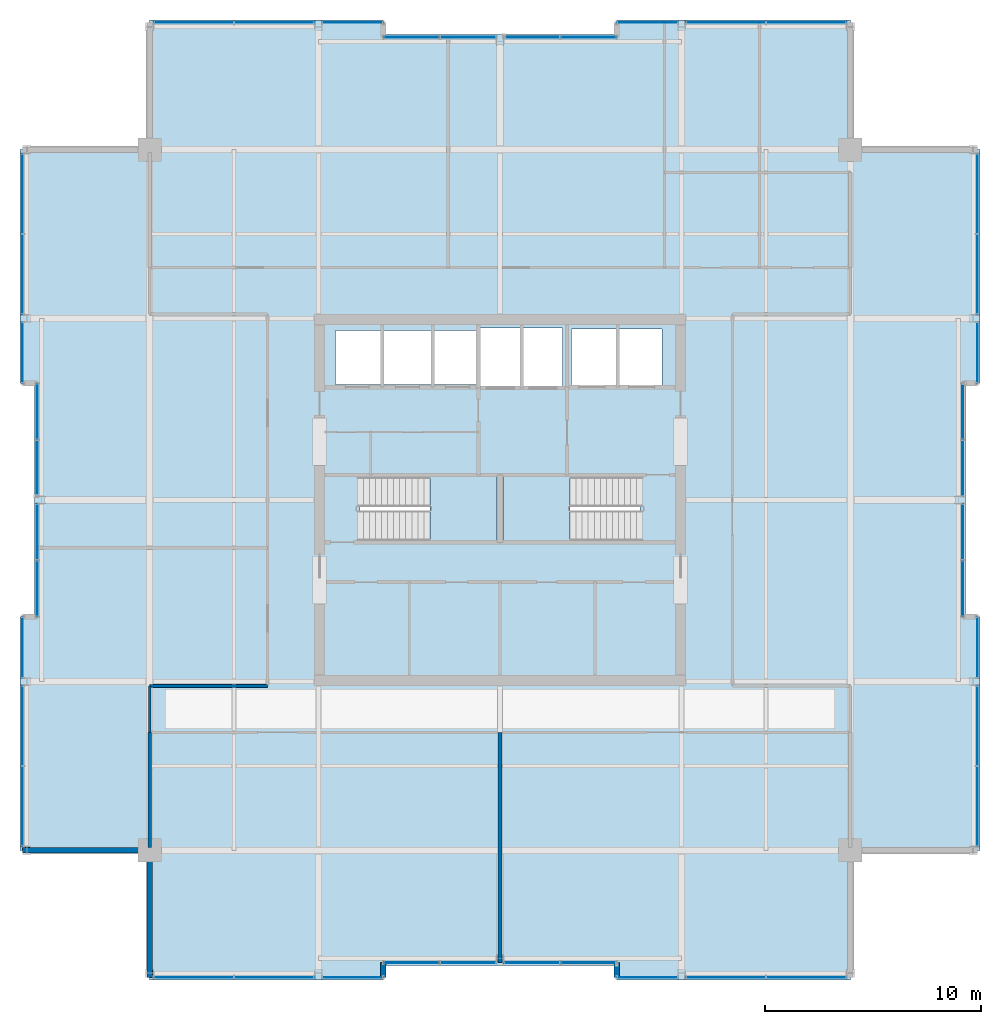
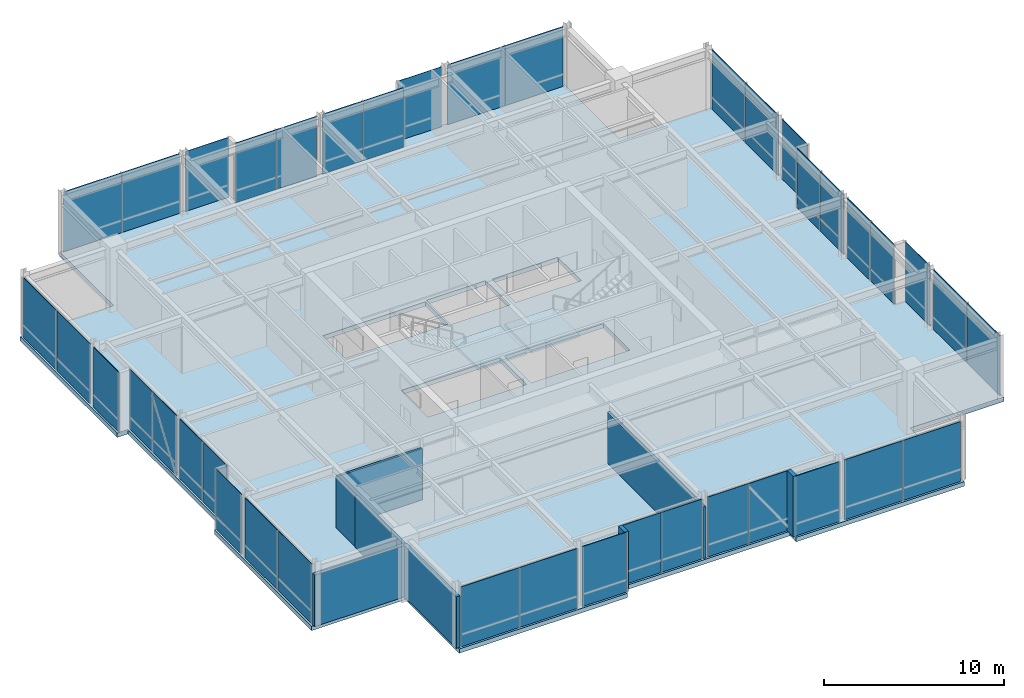
# One storey, part 28 of 34: 40 plates, 8 walls, 3 slabs, 26 elements without a shape of their own.
"""IFC4 building model written with IfcOpenShell, lengths in metres."""

from ifc_helpers import new_model, si_unit, direction, frame, frame_2d, origin, origin_2d, place, context, subcontext, project, spatial, polyline, rectangle, outline, extrude, material, layer, layer_set, type_object, element, aggregate, save


model = new_model("IFC4")

# Units and contexts
model_context = context("Model", 3, precision=1e-05, world=origin(), true_north=direction((0.0, 1.0)))
body_context = subcontext(model_context, "Body", "Model", "MODEL_VIEW")
ifc_project = project(units=[si_unit("LENGTHUNIT", "METRE"), si_unit("AREAUNIT", "SQUARE_METRE"), si_unit("VOLUMEUNIT", "CUBIC_METRE"), si_unit("PLANEANGLEUNIT", "RADIAN"), si_unit("MASSUNIT", "GRAM", prefix="KILO")], contexts=[model_context])

# Site, building, storey
site_placement = place(None, origin())
site = spatial("IfcSite", under=ifc_project, at=site_placement, CompositionType="ELEMENT")
building_placement = place(site_placement, origin())
building = spatial("IfcBuilding", under=site, at=building_placement, Name="Drelvath Grand Hotel", CompositionType="ELEMENT")
storey_placement = place(building_placement, frame((0.0, 0.0, 294.199951171875)))
storey = spatial("IfcBuildingStorey", under=building, at=storey_placement, Name="L77", CompositionType="ELEMENT", Elevation=294.199951171875)

# Slab
ifc_material_1 = material(Name="Concrete f'c 40 MPa", Category="concrete")
ifc_layer_1 = layer(ifc_material_1, 0.300048828125)
ifc_layer_set_1 = layer_set([ifc_layer_1], Name="Concrete f'c 40 MPa")
slab_type_1 = type_object("IfcSlabType", Name="Composite RC Floor Slab 300", PredefinedType="FLOOR", material=ifc_layer_set_1)
slab_1_placement = place(storey_placement, frame((0.0, 0.0, -0.300048828125)))
element("IfcSlab", 1, at=slab_1_placement, inside=storey, type_object=slab_type_1, Name="L77 Structural Floor Slab", PredefinedType="FLOOR", context=body_context, shape_type="SweptSolid", body=[
    extrude(outline(polyline([(-16.199951171875, 4.800048828125), (-5.39990234375, 4.800048828125), (-5.39990234375, 5.47998046875), (5.39990234375, 5.47998046875), (5.39990234375, 4.800048828125), (16.199951171875, 4.800048828125), (16.199951171875, 10.800048828125), (22.199951171875, 10.800048828125), (22.199951171875, 21.60009765625), (21.52001953125, 21.60009765625), (21.52001953125, 32.39990234375), (22.199951171875, 32.39990234375), (22.199951171875, 43.199951171875), (16.199951171875, 43.199951171875), (16.199951171875, 49.199951171875), (5.39990234375, 49.199951171875), (5.39990234375, 48.52001953125), (-5.39990234375, 48.52001953125), (-5.39990234375, 49.199951171875), (-16.199951171875, 49.199951171875), (-16.199951171875, 43.199951171875), (-22.199951171875, 43.199951171875), (-22.199951171875, 32.39990234375), (-21.52001953125, 32.39990234375), (-21.52001953125, 21.60009765625), (-22.199951171875, 21.60009765625), (-22.199951171875, 10.800048828125), (-16.199951171875, 10.800048828125), (-16.199951171875, 4.800048828125)]), holes=[polyline([(-6.47998046875, 25.1201171875), (-6.47998046875, 28.080078125), (-0.14990234375, 28.080078125), (-0.14990234375, 25.1201171875), (-6.47998046875, 25.1201171875)]), polyline([(0.14990234375, 25.1201171875), (0.14990234375, 28.080078125), (6.47998046875, 28.080078125), (6.47998046875, 25.1201171875), (0.14990234375, 25.1201171875)]), polyline([(-7.60009765625, 32.35009765625), (-7.60009765625, 34.85009765625), (-1.02001953125, 34.85009765625), (-1.02001953125, 32.35009765625), (-7.60009765625, 32.35009765625)]), polyline([(-0.89990234375, 32.25), (-0.89990234375, 34.949951171875), (2.89990234375, 34.949951171875), (2.89990234375, 32.25), (-0.89990234375, 32.25)]), polyline([(3.300048828125, 32.300048828125), (3.300048828125, 34.89990234375), (7.5, 34.89990234375), (7.5, 32.300048828125), (3.300048828125, 32.300048828125)])]), origin(), (0.0, 0.0, 1.0), 0.300048828125),
])

# Stair, slab
ifc_material_2 = material(Name="Concrete C40/50", Category="concrete")
stair_type = type_object("IfcStairType", Name="Dogleg Exit Stair W1400-R169.2", PredefinedType="HALF_TURN_STAIR", material=ifc_material_2)
stair_1_placement = place(storey_placement, origin())
stair_1 = element("IfcStair", 2, at=stair_1_placement, inside=storey, type_object=stair_type, Name="L77 Core Exit Stair ST-1", PredefinedType="HALF_TURN_STAIR")
ifc_layer_2 = layer(ifc_material_2, 0.199951171875)
ifc_layer_set_2 = layer_set([ifc_layer_2], Name="Concrete C40/50")
slab_type_2 = type_object("IfcSlabType", Name="Concrete Stair Landing Slab 200", PredefinedType="LANDING", material=ifc_layer_set_2)
slab_2_placement = place(storey_placement, frame((0.0, 0.0, 2.0)))
slab_2 = element("IfcSlab", 3, at=slab_2_placement, type_object=slab_type_2, Name="ST-1 landing 1", PredefinedType="LANDING", context=body_context, shape_type="SweptSolid", body=[
    extrude(outline(polyline([(-3.239990234375, 25.1201171875), (-0.14990234375, 25.1201171875), (-0.14990234375, 28.080078125), (-3.239990234375, 28.080078125), (-3.239990234375, 25.1201171875)])), origin(), (0.0, 0.0, 1.0), 0.199951171875),
])
aggregate(stair_1, [slab_2])

stair_2_placement = place(storey_placement, origin())
stair_2 = element("IfcStair", 4, at=stair_2_placement, inside=storey, type_object=stair_type, Name="L77 Core Exit Stair ST-2", PredefinedType="HALF_TURN_STAIR")
slab_3_placement = place(storey_placement, frame((0.0, 0.0, 2.0)))
slab_3 = element("IfcSlab", 5, at=slab_3_placement, type_object=slab_type_2, Name="ST-2 landing 1", PredefinedType="LANDING", context=body_context, shape_type="SweptSolid", body=[
    extrude(outline(polyline([(3.239990234375, 28.080078125), (0.14990234375, 28.080078125), (0.14990234375, 25.1201171875), (3.239990234375, 25.1201171875), (3.239990234375, 28.080078125)])), origin(), (0.0, 0.0, 1.0), 0.199951171875),
])
aggregate(stair_2, [slab_3])

# Curtain wall, plates
ifc_material_3 = material(Name="Platinum-Mist Anodised Aluminium Frame", Category="aluminium")
ifc_layer_3 = layer(ifc_material_3, 0.199951171875)
ifc_layer_set_3 = layer_set([ifc_layer_3], Name="Platinum-Mist Anodised Aluminium Frame")
curtain_wall_type = type_object("IfcCurtainWallType", Name="Stick Curtain Wall CW-05 Platinum Mist High-Rise", PredefinedType="NOTDEFINED", material=ifc_layer_set_3)
curtain_wall_1_placement = place(storey_placement, origin())
curtain_wall_1 = element("IfcCurtainWall", 6, at=curtain_wall_1_placement, inside=storey, type_object=curtain_wall_type, Name="L77 CW-05 Curtain Wall CW05-L77-WS1", PredefinedType="NOTDEFINED")
ifc_material_4 = material(Name="Low-E Triple Silver High-Altitude Glass", Category="glass")
ifc_layer_4 = layer(ifc_material_4, 0.035888671875)
ifc_layer_set_4 = layer_set([ifc_layer_4], Name="Low-E Triple Silver High-Altitude Glass")
plate_type = type_object("IfcPlateType", Name="Curtain Wall Vision Panel CW-05 36mm", PredefinedType="CURTAIN_PANEL", material=ifc_layer_set_4)
plate_1_placement = place(storey_placement, frame((-22.080078125, 12.835205078125, 0.02001953125), z_axis=(0.0, 0.0, 1.0), x_axis=(0.0, 1.0, 0.0)))
plate_1 = element("IfcPlate", 7, at=plate_1_placement, type_object=plate_type, Name="CW05-L77-WS1 Glazed Panel 1", PredefinedType="CURTAIN_PANEL", context=body_context, shape_type="SweptSolid", body=[
    extrude(rectangle(XDim=3.68994140625, YDim=0.035888671875, at=origin_2d()), origin(), (0.0, 0.0, 1.0), 4.06005859375),
])
plate_2_placement = place(storey_placement, frame((-22.080078125, 16.56494140625, 0.02001953125), z_axis=(0.0, 0.0, 1.0), x_axis=(0.0, 1.0, 0.0)))
plate_2 = element("IfcPlate", 8, at=plate_2_placement, type_object=plate_type, Name="CW05-L77-WS1 Glazed Panel 2", PredefinedType="CURTAIN_PANEL", context=body_context, shape_type="SweptSolid", body=[
    extrude(rectangle(XDim=3.68994140625, YDim=0.035888671875, at=origin_2d()), origin(), (0.0, 0.0, 1.0), 4.06005859375),
])
aggregate(curtain_wall_1, [plate_1, plate_2])

# Curtain wall, plate
curtain_wall_2_placement = place(storey_placement, origin())
curtain_wall_2 = element("IfcCurtainWall", 9, at=curtain_wall_2_placement, inside=storey, type_object=curtain_wall_type, Name="L77 CW-05 Curtain Wall CW05-L77-WS2", PredefinedType="NOTDEFINED")
plate_3_placement = place(storey_placement, frame((-22.080078125, 20.18505859375, 0.02001953125), z_axis=(0.0, 0.0, 1.0), x_axis=(0.0, 1.0, 0.0)))
plate_3 = element("IfcPlate", 10, at=plate_3_placement, type_object=plate_type, Name="CW05-L77-WS2 Glazed Panel 1", PredefinedType="CURTAIN_PANEL", context=body_context, shape_type="SweptSolid", body=[
    extrude(rectangle(XDim=2.789794921875, YDim=0.035888671875, at=origin_2d()), origin(), (0.0, 0.0, 1.0), 4.06005859375),
])
aggregate(curtain_wall_2, [plate_3])

# Curtain wall, plates
curtain_wall_3_placement = place(storey_placement, origin())
curtain_wall_3 = element("IfcCurtainWall", 11, at=curtain_wall_3_placement, inside=storey, type_object=curtain_wall_type, Name="L77 CW-05 Curtain Wall CW05-L77-WM1", PredefinedType="NOTDEFINED")
plate_4_placement = place(storey_placement, frame((-21.39990234375, 22.907470703125, 0.02001953125), z_axis=(0.0, 0.0, 1.0), x_axis=(0.0, 1.0, 0.0)))
plate_4 = element("IfcPlate", 12, at=plate_4_placement, type_object=plate_type, Name="CW05-L77-WM1 Glazed Panel 1", PredefinedType="CURTAIN_PANEL", context=body_context, shape_type="SweptSolid", body=[
    extrude(rectangle(XDim=2.574951171875, YDim=0.035888671875, at=origin_2d()), origin(), (0.0, 0.0, 1.0), 4.06005859375),
])
plate_5_placement = place(storey_placement, frame((-21.39990234375, 25.5224609375, 0.02001953125), z_axis=(0.0, 0.0, 1.0), x_axis=(0.0, 1.0, 0.0)))
plate_5 = element("IfcPlate", 13, at=plate_5_placement, type_object=plate_type, Name="CW05-L77-WM1 Glazed Panel 2", PredefinedType="CURTAIN_PANEL", context=body_context, shape_type="SweptSolid", body=[
    extrude(rectangle(XDim=2.574951171875, YDim=0.035888671875, at=origin_2d()), origin(), (0.0, 0.0, 1.0), 4.06005859375),
])
aggregate(curtain_wall_3, [plate_4, plate_5])

curtain_wall_4_placement = place(storey_placement, origin())
curtain_wall_4 = element("IfcCurtainWall", 14, at=curtain_wall_4_placement, inside=storey, type_object=curtain_wall_type, Name="L77 CW-05 Curtain Wall CW05-L77-WM2", PredefinedType="NOTDEFINED")
plate_6_placement = place(storey_placement, frame((-21.39990234375, 28.4775390625, 0.02001953125), z_axis=(0.0, 0.0, 1.0), x_axis=(0.0, 1.0, 0.0)))
plate_6 = element("IfcPlate", 15, at=plate_6_placement, type_object=plate_type, Name="CW05-L77-WM2 Glazed Panel 1", PredefinedType="CURTAIN_PANEL", context=body_context, shape_type="SweptSolid", body=[
    extrude(rectangle(XDim=2.574951171875, YDim=0.035888671875, at=origin_2d()), origin(), (0.0, 0.0, 1.0), 4.06005859375),
])
plate_7_placement = place(storey_placement, frame((-21.39990234375, 31.092529296875, 0.02001953125), z_axis=(0.0, 0.0, 1.0), x_axis=(0.0, 1.0, 0.0)))
plate_7 = element("IfcPlate", 16, at=plate_7_placement, type_object=plate_type, Name="CW05-L77-WM2 Glazed Panel 2", PredefinedType="CURTAIN_PANEL", context=body_context, shape_type="SweptSolid", body=[
    extrude(rectangle(XDim=2.574951171875, YDim=0.035888671875, at=origin_2d()), origin(), (0.0, 0.0, 1.0), 4.06005859375),
])
aggregate(curtain_wall_4, [plate_6, plate_7])

# Curtain wall, plate
curtain_wall_5_placement = place(storey_placement, origin())
curtain_wall_5 = element("IfcCurtainWall", 17, at=curtain_wall_5_placement, inside=storey, type_object=curtain_wall_type, Name="L77 CW-05 Curtain Wall CW05-L77-WN1", PredefinedType="NOTDEFINED")
plate_8_placement = place(storey_placement, frame((-22.080078125, 33.81494140625, 0.02001953125), z_axis=(0.0, 0.0, 1.0), x_axis=(0.0, 1.0, 0.0)))
plate_8 = element("IfcPlate", 18, at=plate_8_placement, type_object=plate_type, Name="CW05-L77-WN1 Glazed Panel 1", PredefinedType="CURTAIN_PANEL", context=body_context, shape_type="SweptSolid", body=[
    extrude(rectangle(XDim=2.7900390625, YDim=0.035888671875, at=origin_2d()), origin(), (0.0, 0.0, 1.0), 4.06005859375),
])
aggregate(curtain_wall_5, [plate_8])

# Curtain wall, plates
curtain_wall_6_placement = place(storey_placement, origin())
curtain_wall_6 = element("IfcCurtainWall", 19, at=curtain_wall_6_placement, inside=storey, type_object=curtain_wall_type, Name="L77 CW-05 Curtain Wall CW05-L77-WN2", PredefinedType="NOTDEFINED")
plate_9_placement = place(storey_placement, frame((-22.080078125, 37.43505859375, 0.02001953125), z_axis=(0.0, 0.0, 1.0), x_axis=(0.0, 1.0, 0.0)))
plate_9 = element("IfcPlate", 20, at=plate_9_placement, type_object=plate_type, Name="CW05-L77-WN2 Glazed Panel 1", PredefinedType="CURTAIN_PANEL", context=body_context, shape_type="SweptSolid", body=[
    extrude(rectangle(XDim=3.68994140625, YDim=0.035888671875, at=origin_2d()), origin(), (0.0, 0.0, 1.0), 4.06005859375),
])
plate_10_placement = place(storey_placement, frame((-22.080078125, 41.1650390625, 0.02001953125), z_axis=(0.0, 0.0, 1.0), x_axis=(0.0, 1.0, 0.0)))
plate_10 = element("IfcPlate", 21, at=plate_10_placement, type_object=plate_type, Name="CW05-L77-WN2 Glazed Panel 2", PredefinedType="CURTAIN_PANEL", context=body_context, shape_type="SweptSolid", body=[
    extrude(rectangle(XDim=3.68994140625, YDim=0.035888671875, at=origin_2d()), origin(), (0.0, 0.0, 1.0), 4.06005859375),
])
aggregate(curtain_wall_6, [plate_9, plate_10])

# Curtain wall, plate
curtain_wall_7_placement = place(storey_placement, origin())
curtain_wall_7 = element("IfcCurtainWall", 22, at=curtain_wall_7_placement, inside=storey, type_object=curtain_wall_type, Name="L77 CW-05 Curtain Wall CW05-L77-EN1", PredefinedType="NOTDEFINED")
plate_11_placement = place(storey_placement, frame((22.080078125, 33.81494140625, 0.02001953125), z_axis=(0.0, 0.0, 1.0), x_axis=(0.0, -1.0, 0.0)))
plate_11 = element("IfcPlate", 23, at=plate_11_placement, type_object=plate_type, Name="CW05-L77-EN1 Glazed Panel 1", PredefinedType="CURTAIN_PANEL", context=body_context, shape_type="SweptSolid", body=[
    extrude(rectangle(XDim=2.7900390625, YDim=0.035888671875, at=origin_2d()), origin(), (0.0, 0.0, 1.0), 4.06005859375),
])
aggregate(curtain_wall_7, [plate_11])

# Curtain wall, plates
curtain_wall_8_placement = place(storey_placement, origin())
curtain_wall_8 = element("IfcCurtainWall", 24, at=curtain_wall_8_placement, inside=storey, type_object=curtain_wall_type, Name="L77 CW-05 Curtain Wall CW05-L77-EN2", PredefinedType="NOTDEFINED")
plate_12_placement = place(storey_placement, frame((22.080078125, 41.1650390625, 0.02001953125), z_axis=(0.0, 0.0, 1.0), x_axis=(0.0, -1.0, 0.0)))
plate_12 = element("IfcPlate", 25, at=plate_12_placement, type_object=plate_type, Name="CW05-L77-EN2 Glazed Panel 1", PredefinedType="CURTAIN_PANEL", context=body_context, shape_type="SweptSolid", body=[
    extrude(rectangle(XDim=3.68994140625, YDim=0.035888671875, at=origin_2d()), origin(), (0.0, 0.0, 1.0), 4.06005859375),
])
plate_13_placement = place(storey_placement, frame((22.080078125, 37.43505859375, 0.02001953125), z_axis=(0.0, 0.0, 1.0), x_axis=(0.0, -1.0, 0.0)))
plate_13 = element("IfcPlate", 26, at=plate_13_placement, type_object=plate_type, Name="CW05-L77-EN2 Glazed Panel 2", PredefinedType="CURTAIN_PANEL", context=body_context, shape_type="SweptSolid", body=[
    extrude(rectangle(XDim=3.68994140625, YDim=0.035888671875, at=origin_2d()), origin(), (0.0, 0.0, 1.0), 4.06005859375),
])
aggregate(curtain_wall_8, [plate_12, plate_13])

curtain_wall_9_placement = place(storey_placement, origin())
curtain_wall_9 = element("IfcCurtainWall", 27, at=curtain_wall_9_placement, inside=storey, type_object=curtain_wall_type, Name="L77 CW-05 Curtain Wall CW05-L77-EM1", PredefinedType="NOTDEFINED")
plate_14_placement = place(storey_placement, frame((21.39990234375, 25.5224609375, 0.02001953125), z_axis=(0.0, 0.0, 1.0), x_axis=(0.0, -1.0, 0.0)))
plate_14 = element("IfcPlate", 28, at=plate_14_placement, type_object=plate_type, Name="CW05-L77-EM1 Glazed Panel 1", PredefinedType="CURTAIN_PANEL", context=body_context, shape_type="SweptSolid", body=[
    extrude(rectangle(XDim=2.574951171875, YDim=0.035888671875, at=origin_2d()), origin(), (0.0, 0.0, 1.0), 4.06005859375),
])
plate_15_placement = place(storey_placement, frame((21.39990234375, 22.907470703125, 0.02001953125), z_axis=(0.0, 0.0, 1.0), x_axis=(0.0, -1.0, 0.0)))
plate_15 = element("IfcPlate", 29, at=plate_15_placement, type_object=plate_type, Name="CW05-L77-EM1 Glazed Panel 2", PredefinedType="CURTAIN_PANEL", context=body_context, shape_type="SweptSolid", body=[
    extrude(rectangle(XDim=2.574951171875, YDim=0.035888671875, at=origin_2d()), origin(), (0.0, 0.0, 1.0), 4.06005859375),
])
aggregate(curtain_wall_9, [plate_14, plate_15])

curtain_wall_10_placement = place(storey_placement, origin())
curtain_wall_10 = element("IfcCurtainWall", 30, at=curtain_wall_10_placement, inside=storey, type_object=curtain_wall_type, Name="L77 CW-05 Curtain Wall CW05-L77-EM2", PredefinedType="NOTDEFINED")
plate_16_placement = place(storey_placement, frame((21.39990234375, 31.092529296875, 0.02001953125), z_axis=(0.0, 0.0, 1.0), x_axis=(0.0, -1.0, 0.0)))
plate_16 = element("IfcPlate", 31, at=plate_16_placement, type_object=plate_type, Name="CW05-L77-EM2 Glazed Panel 1", PredefinedType="CURTAIN_PANEL", context=body_context, shape_type="SweptSolid", body=[
    extrude(rectangle(XDim=2.574951171875, YDim=0.035888671875, at=origin_2d()), origin(), (0.0, 0.0, 1.0), 4.06005859375),
])
plate_17_placement = place(storey_placement, frame((21.39990234375, 28.4775390625, 0.02001953125), z_axis=(0.0, 0.0, 1.0), x_axis=(0.0, -1.0, 0.0)))
plate_17 = element("IfcPlate", 32, at=plate_17_placement, type_object=plate_type, Name="CW05-L77-EM2 Glazed Panel 2", PredefinedType="CURTAIN_PANEL", context=body_context, shape_type="SweptSolid", body=[
    extrude(rectangle(XDim=2.574951171875, YDim=0.035888671875, at=origin_2d()), origin(), (0.0, 0.0, 1.0), 4.06005859375),
])
aggregate(curtain_wall_10, [plate_16, plate_17])

curtain_wall_11_placement = place(storey_placement, origin())
curtain_wall_11 = element("IfcCurtainWall", 33, at=curtain_wall_11_placement, inside=storey, type_object=curtain_wall_type, Name="L77 CW-05 Curtain Wall CW05-L77-ES1", PredefinedType="NOTDEFINED")
plate_18_placement = place(storey_placement, frame((22.080078125, 16.56494140625, 0.02001953125), z_axis=(0.0, 0.0, 1.0), x_axis=(0.0, -1.0, 0.0)))
plate_18 = element("IfcPlate", 34, at=plate_18_placement, type_object=plate_type, Name="CW05-L77-ES1 Glazed Panel 1", PredefinedType="CURTAIN_PANEL", context=body_context, shape_type="SweptSolid", body=[
    extrude(rectangle(XDim=3.68994140625, YDim=0.035888671875, at=origin_2d()), origin(), (0.0, 0.0, 1.0), 4.06005859375),
])
plate_19_placement = place(storey_placement, frame((22.080078125, 12.835205078125, 0.02001953125), z_axis=(0.0, 0.0, 1.0), x_axis=(0.0, -1.0, 0.0)))
plate_19 = element("IfcPlate", 35, at=plate_19_placement, type_object=plate_type, Name="CW05-L77-ES1 Glazed Panel 2", PredefinedType="CURTAIN_PANEL", context=body_context, shape_type="SweptSolid", body=[
    extrude(rectangle(XDim=3.68994140625, YDim=0.035888671875, at=origin_2d()), origin(), (0.0, 0.0, 1.0), 4.06005859375),
])
aggregate(curtain_wall_11, [plate_18, plate_19])

# Curtain wall, plate
curtain_wall_12_placement = place(storey_placement, origin())
curtain_wall_12 = element("IfcCurtainWall", 36, at=curtain_wall_12_placement, inside=storey, type_object=curtain_wall_type, Name="L77 CW-05 Curtain Wall CW05-L77-ES2", PredefinedType="NOTDEFINED")
plate_20_placement = place(storey_placement, frame((22.080078125, 20.18505859375, 0.02001953125), z_axis=(0.0, 0.0, 1.0), x_axis=(0.0, -1.0, 0.0)))
plate_20 = element("IfcPlate", 37, at=plate_20_placement, type_object=plate_type, Name="CW05-L77-ES2 Glazed Panel 1", PredefinedType="CURTAIN_PANEL", context=body_context, shape_type="SweptSolid", body=[
    extrude(rectangle(XDim=2.789794921875, YDim=0.035888671875, at=origin_2d()), origin(), (0.0, 0.0, 1.0), 4.06005859375),
])
aggregate(curtain_wall_12, [plate_20])

# Curtain wall, plates
curtain_wall_13_placement = place(storey_placement, origin())
curtain_wall_13 = element("IfcCurtainWall", 38, at=curtain_wall_13_placement, inside=storey, type_object=curtain_wall_type, Name="L77 CW-05 Curtain Wall CW05-L77-NW1", PredefinedType="NOTDEFINED")
plate_21_placement = place(storey_placement, frame((-14.1650390625, 49.080078125, 0.02001953125), z_axis=(0.0, 0.0, 1.0), x_axis=(1.0, 0.0, 0.0)))
plate_21 = element("IfcPlate", 39, at=plate_21_placement, type_object=plate_type, Name="CW05-L77-NW1 Glazed Panel 1", PredefinedType="CURTAIN_PANEL", context=body_context, shape_type="SweptSolid", body=[
    extrude(rectangle(XDim=3.68994140625, YDim=0.035888671875, at=origin_2d()), origin(), (0.0, 0.0, 1.0), 4.06005859375),
])
plate_22_placement = place(storey_placement, frame((-10.43505859375, 49.080078125, 0.02001953125), z_axis=(0.0, 0.0, 1.0), x_axis=(1.0, 0.0, 0.0)))
plate_22 = element("IfcPlate", 40, at=plate_22_placement, type_object=plate_type, Name="CW05-L77-NW1 Glazed Panel 2", PredefinedType="CURTAIN_PANEL", context=body_context, shape_type="SweptSolid", body=[
    extrude(rectangle(XDim=3.68994140625, YDim=0.035888671875, at=origin_2d()), origin(), (0.0, 0.0, 1.0), 4.06005859375),
])
aggregate(curtain_wall_13, [plate_21, plate_22])

# Curtain wall, plate
curtain_wall_14_placement = place(storey_placement, origin())
curtain_wall_14 = element("IfcCurtainWall", 41, at=curtain_wall_14_placement, inside=storey, type_object=curtain_wall_type, Name="L77 CW-05 Curtain Wall CW05-L77-NW2", PredefinedType="NOTDEFINED")
plate_23_placement = place(storey_placement, frame((-6.81494140625, 49.080078125, 0.02001953125), z_axis=(0.0, 0.0, 1.0), x_axis=(1.0, 0.0, 0.0)))
plate_23 = element("IfcPlate", 42, at=plate_23_placement, type_object=plate_type, Name="CW05-L77-NW2 Glazed Panel 1", PredefinedType="CURTAIN_PANEL", context=body_context, shape_type="SweptSolid", body=[
    extrude(rectangle(XDim=2.789794921875, YDim=0.035888671875, at=origin_2d()), origin(), (0.0, 0.0, 1.0), 4.06005859375),
])
aggregate(curtain_wall_14, [plate_23])

# Curtain wall, plates
curtain_wall_15_placement = place(storey_placement, origin())
curtain_wall_15 = element("IfcCurtainWall", 43, at=curtain_wall_15_placement, inside=storey, type_object=curtain_wall_type, Name="L77 CW-05 Curtain Wall CW05-L77-NM1", PredefinedType="NOTDEFINED")
plate_24_placement = place(storey_placement, frame((-4.092529296875, 48.39990234375, 0.02001953125), z_axis=(0.0, 0.0, 1.0), x_axis=(1.0, 0.0, 0.0)))
plate_24 = element("IfcPlate", 44, at=plate_24_placement, type_object=plate_type, Name="CW05-L77-NM1 Glazed Panel 1", PredefinedType="CURTAIN_PANEL", context=body_context, shape_type="SweptSolid", body=[
    extrude(rectangle(XDim=2.574951171875, YDim=0.035888671875, at=origin_2d()), origin(), (0.0, 0.0, 1.0), 4.06005859375),
])
plate_25_placement = place(storey_placement, frame((-1.4775390625, 48.39990234375, 0.02001953125), z_axis=(0.0, 0.0, 1.0), x_axis=(1.0, 0.0, 0.0)))
plate_25 = element("IfcPlate", 45, at=plate_25_placement, type_object=plate_type, Name="CW05-L77-NM1 Glazed Panel 2", PredefinedType="CURTAIN_PANEL", context=body_context, shape_type="SweptSolid", body=[
    extrude(rectangle(XDim=2.574951171875, YDim=0.035888671875, at=origin_2d()), origin(), (0.0, 0.0, 1.0), 4.06005859375),
])
aggregate(curtain_wall_15, [plate_24, plate_25])

curtain_wall_16_placement = place(storey_placement, origin())
curtain_wall_16 = element("IfcCurtainWall", 46, at=curtain_wall_16_placement, inside=storey, type_object=curtain_wall_type, Name="L77 CW-05 Curtain Wall CW05-L77-NM2", PredefinedType="NOTDEFINED")
plate_26_placement = place(storey_placement, frame((1.4775390625, 48.39990234375, 0.02001953125), z_axis=(0.0, 0.0, 1.0), x_axis=(1.0, 0.0, 0.0)))
plate_26 = element("IfcPlate", 47, at=plate_26_placement, type_object=plate_type, Name="CW05-L77-NM2 Glazed Panel 1", PredefinedType="CURTAIN_PANEL", context=body_context, shape_type="SweptSolid", body=[
    extrude(rectangle(XDim=2.574951171875, YDim=0.035888671875, at=origin_2d()), origin(), (0.0, 0.0, 1.0), 4.06005859375),
])
plate_27_placement = place(storey_placement, frame((4.092529296875, 48.39990234375, 0.02001953125), z_axis=(0.0, 0.0, 1.0), x_axis=(1.0, 0.0, 0.0)))
plate_27 = element("IfcPlate", 48, at=plate_27_placement, type_object=plate_type, Name="CW05-L77-NM2 Glazed Panel 2", PredefinedType="CURTAIN_PANEL", context=body_context, shape_type="SweptSolid", body=[
    extrude(rectangle(XDim=2.574951171875, YDim=0.035888671875, at=origin_2d()), origin(), (0.0, 0.0, 1.0), 4.06005859375),
])
aggregate(curtain_wall_16, [plate_26, plate_27])

# Curtain wall, plate
curtain_wall_17_placement = place(storey_placement, origin())
curtain_wall_17 = element("IfcCurtainWall", 49, at=curtain_wall_17_placement, inside=storey, type_object=curtain_wall_type, Name="L77 CW-05 Curtain Wall CW05-L77-NE1", PredefinedType="NOTDEFINED")
plate_28_placement = place(storey_placement, frame((6.81494140625, 49.080078125, 0.02001953125), z_axis=(0.0, 0.0, 1.0), x_axis=(1.0, 0.0, 0.0)))
plate_28 = element("IfcPlate", 50, at=plate_28_placement, type_object=plate_type, Name="CW05-L77-NE1 Glazed Panel 1", PredefinedType="CURTAIN_PANEL", context=body_context, shape_type="SweptSolid", body=[
    extrude(rectangle(XDim=2.789794921875, YDim=0.035888671875, at=origin_2d()), origin(), (0.0, 0.0, 1.0), 4.06005859375),
])
aggregate(curtain_wall_17, [plate_28])

# Curtain wall, plates
curtain_wall_18_placement = place(storey_placement, origin())
curtain_wall_18 = element("IfcCurtainWall", 51, at=curtain_wall_18_placement, inside=storey, type_object=curtain_wall_type, Name="L77 CW-05 Curtain Wall CW05-L77-NE2", PredefinedType="NOTDEFINED")
plate_29_placement = place(storey_placement, frame((10.43505859375, 49.080078125, 0.02001953125), z_axis=(0.0, 0.0, 1.0), x_axis=(1.0, 0.0, 0.0)))
plate_29 = element("IfcPlate", 52, at=plate_29_placement, type_object=plate_type, Name="CW05-L77-NE2 Glazed Panel 1", PredefinedType="CURTAIN_PANEL", context=body_context, shape_type="SweptSolid", body=[
    extrude(rectangle(XDim=3.68994140625, YDim=0.035888671875, at=origin_2d()), origin(), (0.0, 0.0, 1.0), 4.06005859375),
])
plate_30_placement = place(storey_placement, frame((14.1650390625, 49.080078125, 0.02001953125), z_axis=(0.0, 0.0, 1.0), x_axis=(1.0, 0.0, 0.0)))
plate_30 = element("IfcPlate", 53, at=plate_30_placement, type_object=plate_type, Name="CW05-L77-NE2 Glazed Panel 2", PredefinedType="CURTAIN_PANEL", context=body_context, shape_type="SweptSolid", body=[
    extrude(rectangle(XDim=3.68994140625, YDim=0.035888671875, at=origin_2d()), origin(), (0.0, 0.0, 1.0), 4.06005859375),
])
aggregate(curtain_wall_18, [plate_29, plate_30])

# Curtain wall, plate
curtain_wall_19_placement = place(storey_placement, origin())
curtain_wall_19 = element("IfcCurtainWall", 54, at=curtain_wall_19_placement, inside=storey, type_object=curtain_wall_type, Name="L77 CW-05 Curtain Wall CW05-L77-SE1", PredefinedType="NOTDEFINED")
plate_31_placement = place(storey_placement, frame((6.81494140625, 4.919921875, 0.02001953125), z_axis=(0.0, 0.0, 1.0), x_axis=(-1.0, 0.0, 0.0)))
plate_31 = element("IfcPlate", 55, at=plate_31_placement, type_object=plate_type, Name="CW05-L77-SE1 Glazed Panel 1", PredefinedType="CURTAIN_PANEL", context=body_context, shape_type="SweptSolid", body=[
    extrude(rectangle(XDim=2.789794921875, YDim=0.035888671875, at=origin_2d()), origin(), (0.0, 0.0, 1.0), 4.06005859375),
])
aggregate(curtain_wall_19, [plate_31])

# Curtain wall, plates
curtain_wall_20_placement = place(storey_placement, origin())
curtain_wall_20 = element("IfcCurtainWall", 56, at=curtain_wall_20_placement, inside=storey, type_object=curtain_wall_type, Name="L77 CW-05 Curtain Wall CW05-L77-SE2", PredefinedType="NOTDEFINED")
plate_32_placement = place(storey_placement, frame((14.1650390625, 4.919921875, 0.02001953125), z_axis=(0.0, 0.0, 1.0), x_axis=(-1.0, 0.0, 0.0)))
plate_32 = element("IfcPlate", 57, at=plate_32_placement, type_object=plate_type, Name="CW05-L77-SE2 Glazed Panel 1", PredefinedType="CURTAIN_PANEL", context=body_context, shape_type="SweptSolid", body=[
    extrude(rectangle(XDim=3.68994140625, YDim=0.035888671875, at=origin_2d()), origin(), (0.0, 0.0, 1.0), 4.06005859375),
])
plate_33_placement = place(storey_placement, frame((10.43505859375, 4.919921875, 0.02001953125), z_axis=(0.0, 0.0, 1.0), x_axis=(-1.0, 0.0, 0.0)))
plate_33 = element("IfcPlate", 58, at=plate_33_placement, type_object=plate_type, Name="CW05-L77-SE2 Glazed Panel 2", PredefinedType="CURTAIN_PANEL", context=body_context, shape_type="SweptSolid", body=[
    extrude(rectangle(XDim=3.68994140625, YDim=0.035888671875, at=origin_2d()), origin(), (0.0, 0.0, 1.0), 4.06005859375),
])
aggregate(curtain_wall_20, [plate_32, plate_33])

curtain_wall_21_placement = place(storey_placement, origin())
curtain_wall_21 = element("IfcCurtainWall", 59, at=curtain_wall_21_placement, inside=storey, type_object=curtain_wall_type, Name="L77 CW-05 Curtain Wall CW05-L77-SM1", PredefinedType="NOTDEFINED")
plate_34_placement = place(storey_placement, frame((-1.4775390625, 5.60009765625, 0.02001953125), z_axis=(0.0, 0.0, 1.0), x_axis=(-1.0, 0.0, 0.0)))
plate_34 = element("IfcPlate", 60, at=plate_34_placement, type_object=plate_type, Name="CW05-L77-SM1 Glazed Panel 1", PredefinedType="CURTAIN_PANEL", context=body_context, shape_type="SweptSolid", body=[
    extrude(rectangle(XDim=2.574951171875, YDim=0.035888671875, at=origin_2d()), origin(), (0.0, 0.0, 1.0), 4.06005859375),
])
plate_35_placement = place(storey_placement, frame((-4.092529296875, 5.60009765625, 0.02001953125), z_axis=(0.0, 0.0, 1.0), x_axis=(-1.0, 0.0, 0.0)))
plate_35 = element("IfcPlate", 61, at=plate_35_placement, type_object=plate_type, Name="CW05-L77-SM1 Glazed Panel 2", PredefinedType="CURTAIN_PANEL", context=body_context, shape_type="SweptSolid", body=[
    extrude(rectangle(XDim=2.574951171875, YDim=0.035888671875, at=origin_2d()), origin(), (0.0, 0.0, 1.0), 4.06005859375),
])
aggregate(curtain_wall_21, [plate_34, plate_35])

curtain_wall_22_placement = place(storey_placement, origin())
curtain_wall_22 = element("IfcCurtainWall", 62, at=curtain_wall_22_placement, inside=storey, type_object=curtain_wall_type, Name="L77 CW-05 Curtain Wall CW05-L77-SM2", PredefinedType="NOTDEFINED")
plate_36_placement = place(storey_placement, frame((4.092529296875, 5.60009765625, 0.02001953125), z_axis=(0.0, 0.0, 1.0), x_axis=(-1.0, 0.0, 0.0)))
plate_36 = element("IfcPlate", 63, at=plate_36_placement, type_object=plate_type, Name="CW05-L77-SM2 Glazed Panel 1", PredefinedType="CURTAIN_PANEL", context=body_context, shape_type="SweptSolid", body=[
    extrude(rectangle(XDim=2.574951171875, YDim=0.035888671875, at=origin_2d()), origin(), (0.0, 0.0, 1.0), 4.06005859375),
])
plate_37_placement = place(storey_placement, frame((1.4775390625, 5.60009765625, 0.02001953125), z_axis=(0.0, 0.0, 1.0), x_axis=(-1.0, 0.0, 0.0)))
plate_37 = element("IfcPlate", 64, at=plate_37_placement, type_object=plate_type, Name="CW05-L77-SM2 Glazed Panel 2", PredefinedType="CURTAIN_PANEL", context=body_context, shape_type="SweptSolid", body=[
    extrude(rectangle(XDim=2.574951171875, YDim=0.035888671875, at=origin_2d()), origin(), (0.0, 0.0, 1.0), 4.06005859375),
])
aggregate(curtain_wall_22, [plate_36, plate_37])

curtain_wall_23_placement = place(storey_placement, origin())
curtain_wall_23 = element("IfcCurtainWall", 65, at=curtain_wall_23_placement, inside=storey, type_object=curtain_wall_type, Name="L77 CW-05 Curtain Wall CW05-L77-SW1", PredefinedType="NOTDEFINED")
plate_38_placement = place(storey_placement, frame((-10.43505859375, 4.919921875, 0.02001953125), z_axis=(0.0, 0.0, 1.0), x_axis=(-1.0, 0.0, 0.0)))
plate_38 = element("IfcPlate", 66, at=plate_38_placement, type_object=plate_type, Name="CW05-L77-SW1 Glazed Panel 1", PredefinedType="CURTAIN_PANEL", context=body_context, shape_type="SweptSolid", body=[
    extrude(rectangle(XDim=3.68994140625, YDim=0.035888671875, at=origin_2d()), origin(), (0.0, 0.0, 1.0), 4.06005859375),
])
plate_39_placement = place(storey_placement, frame((-14.1650390625, 4.919921875, 0.02001953125), z_axis=(0.0, 0.0, 1.0), x_axis=(-1.0, 0.0, 0.0)))
plate_39 = element("IfcPlate", 67, at=plate_39_placement, type_object=plate_type, Name="CW05-L77-SW1 Glazed Panel 2", PredefinedType="CURTAIN_PANEL", context=body_context, shape_type="SweptSolid", body=[
    extrude(rectangle(XDim=3.68994140625, YDim=0.035888671875, at=origin_2d()), origin(), (0.0, 0.0, 1.0), 4.06005859375),
])
aggregate(curtain_wall_23, [plate_38, plate_39])

# Curtain wall, plate
curtain_wall_24_placement = place(storey_placement, origin())
curtain_wall_24 = element("IfcCurtainWall", 68, at=curtain_wall_24_placement, inside=storey, type_object=curtain_wall_type, Name="L77 CW-05 Curtain Wall CW05-L77-SW2", PredefinedType="NOTDEFINED")
plate_40_placement = place(storey_placement, frame((-6.81494140625, 4.919921875, 0.02001953125), z_axis=(0.0, 0.0, 1.0), x_axis=(-1.0, 0.0, 0.0)))
plate_40 = element("IfcPlate", 69, at=plate_40_placement, type_object=plate_type, Name="CW05-L77-SW2 Glazed Panel 1", PredefinedType="CURTAIN_PANEL", context=body_context, shape_type="SweptSolid", body=[
    extrude(rectangle(XDim=2.789794921875, YDim=0.035888671875, at=origin_2d()), origin(), (0.0, 0.0, 1.0), 4.06005859375),
])
aggregate(curtain_wall_24, [plate_40])

# Walls
ifc_material_5 = material(Name="Gypsum Fireboard Partition")
ifc_layer_5 = layer(ifc_material_5, 0.135009765625)
ifc_layer_set_5 = layer_set([ifc_layer_5], Name="Gypsum Fireboard Partition")
wall_type_1 = type_object("IfcWallType", Name="Corridor Fire Barrier Wall 135", PredefinedType="PARTITIONING", material=ifc_layer_set_5)
wall_1_placement = place(storey_placement, frame((-16.199951171875, 18.39990234375, 0.0), z_axis=(0.0, 0.0, 1.0), x_axis=(1.0, 0.0, 0.0)))
element("IfcWall", 70, at=wall_1_placement, inside=storey, type_object=wall_type_1, Name="L77 Sky SW Spur Inner Wall", PredefinedType="PARTITIONING", context=body_context, shape_type="SweptSolid", body=[
    extrude(rectangle(XDim=5.449951171875, YDim=0.135009765625, at=frame_2d((2.72509765625, 0.0))), origin(), (0.0, 0.0, 1.0), 3.4775390625),
])
wall_2_placement = place(storey_placement, frame((-16.199951171875, 16.25, 0.0), z_axis=(0.0, 0.0, 1.0), x_axis=(0.0, 1.0, 0.0)))
element("IfcWall", 71, at=wall_2_placement, inside=storey, type_object=wall_type_1, Name="L77 Sky South Foyer West End", PredefinedType="PARTITIONING", context=body_context, shape_type="SweptSolid", body=[
    extrude(rectangle(XDim=2.14990234375, YDim=0.135009765625, at=frame_2d((1.074951171875, 0.0))), origin(), (0.0, 0.0, 1.0), 3.47412109375),
])
ifc_material_6 = material(Name="Gypsum Acoustic Partition")
ifc_layer_6 = layer(ifc_material_6, 0.1650390625)
ifc_layer_set_6 = layer_set([ifc_layer_6], Name="Gypsum Acoustic Partition")
wall_type_2 = type_object("IfcWallType", Name="Suite Demising Wall 165", PredefinedType="PARTITIONING", material=ifc_layer_set_6)
wall_3_placement = place(storey_placement, frame((-16.199951171875, 10.919921875, 0.0), z_axis=(0.0, 0.0, 1.0), x_axis=(0.0, 1.0, 0.0)))
element("IfcWall", 72, at=wall_3_placement, inside=storey, type_object=wall_type_2, Name="L77 Sky SW Wall", PredefinedType="PARTITIONING", context=body_context, shape_type="SweptSolid", body=[
    extrude(rectangle(XDim=5.330078125, YDim=0.1650390625, at=frame_2d((2.6650390625, 0.0))), origin(), (0.0, 0.0, 1.0), 3.47412109375),
])
wall_4_placement = place(storey_placement, frame((0.0, 5.60009765625, 0.0), z_axis=(0.0, 0.0, 1.0), x_axis=(0.0, 1.0, 0.0)))
element("IfcWall", 73, at=wall_4_placement, inside=storey, type_object=wall_type_2, Name="L77 Sky South Split", PredefinedType="PARTITIONING", context=body_context, shape_type="SweptSolid", body=[
    extrude(rectangle(XDim=10.64990234375, YDim=0.1650390625, at=frame_2d((5.324951171875, 0.0))), origin(), (0.0, 0.0, 1.0), 3.47412109375),
])
ifc_material_7 = material(Name="Pale-Metal Insulated Aluminium Spandrel Assembly", Category="aluminium")
ifc_layer_7 = layer(ifc_material_7, 0.239990234375)
ifc_layer_set_7 = layer_set([ifc_layer_7], Name="Pale-Metal Insulated Aluminium Spandrel Assembly")
wall_type_3 = type_object("IfcWallType", Name="Tower Insulated Metal Spandrel Closure Wall 240", PredefinedType="STANDARD", material=ifc_layer_set_7)
for number, where, z_axis, x_axis, name in (
    (74, (-16.199951171875, 4.919921875, 0.0), (0.0, 0.0, 1.0), (0.0, 1.0, 0.0), "L77 Notched Corner Return Spandrel Wall CSW1"),
    (75, (-16.199951171875, 10.800048828125, 0.0), (0.0, 0.0, 1.0), (-1.0, 0.0, 0.0), "L77 Notched Corner Return Spandrel Wall CSW2"),
):
    element("IfcWall", number, at=place(storey_placement, frame(where, z_axis=z_axis, x_axis=x_axis)), inside=storey, type_object=wall_type_3, Name=name, PredefinedType="STANDARD", context=body_context, shape_type="SweptSolid", body=[
        extrude(rectangle(XDim=5.880126953125, YDim=0.239990234375, at=frame_2d((2.93994140625, 0.0))), origin(), (0.0, 0.0, 1.0), 3.489013671875),
    ])
for number, where, z_axis, x_axis, name in (
    (76, (5.39990234375, 4.919921875, 0.0), (0.0, 0.0, 1.0), (0.0, 1.0, 0.0), "L77 Notched Corner Return Spandrel Wall RS1"),
    (77, (-5.39990234375, 5.60009765625, 0.0), (0.0, 0.0, 1.0), (0.0, -1.0, 0.0), "L77 Notched Corner Return Spandrel Wall RS2"),
):
    element("IfcWall", number, at=place(storey_placement, frame(where, z_axis=z_axis, x_axis=x_axis)), inside=storey, type_object=wall_type_3, Name=name, PredefinedType="STANDARD", context=body_context, shape_type="SweptSolid", body=[
        extrude(rectangle(XDim=0.68017578125, YDim=0.239990234375, at=frame_2d((0.340087890625, 0.0))), origin(), (0.0, 0.0, 1.0), 4.10009765625),
    ])

save(model, "model.ifc")
